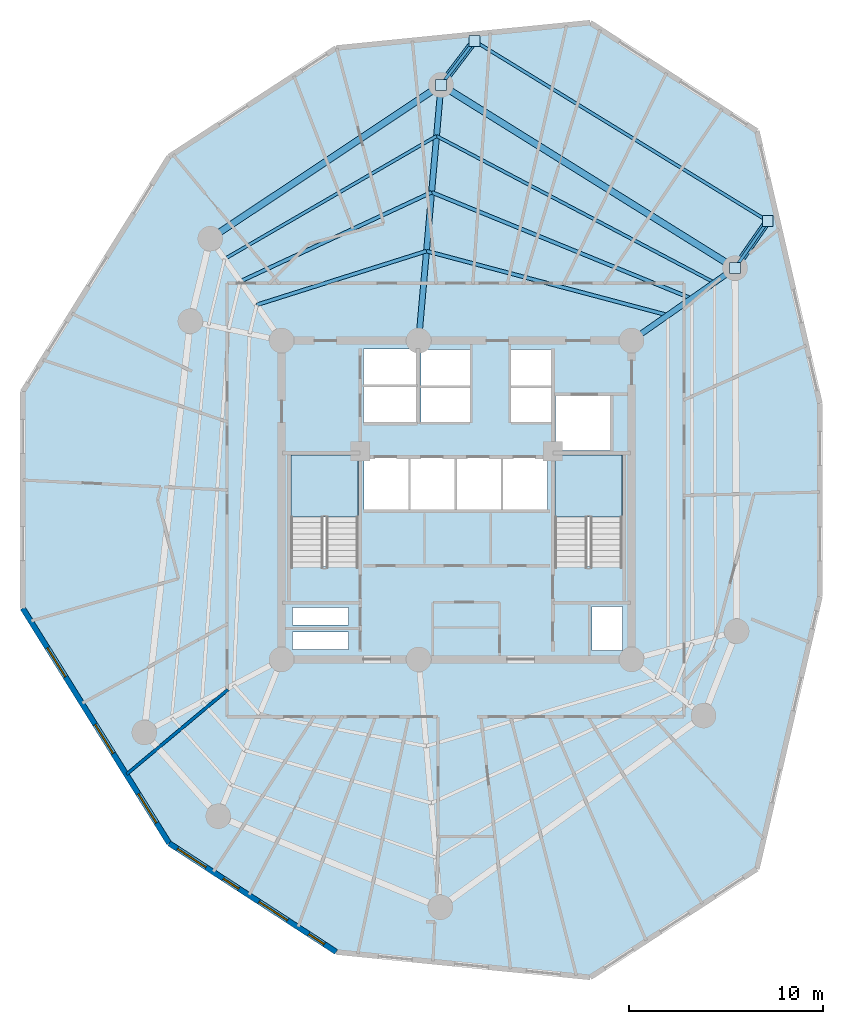
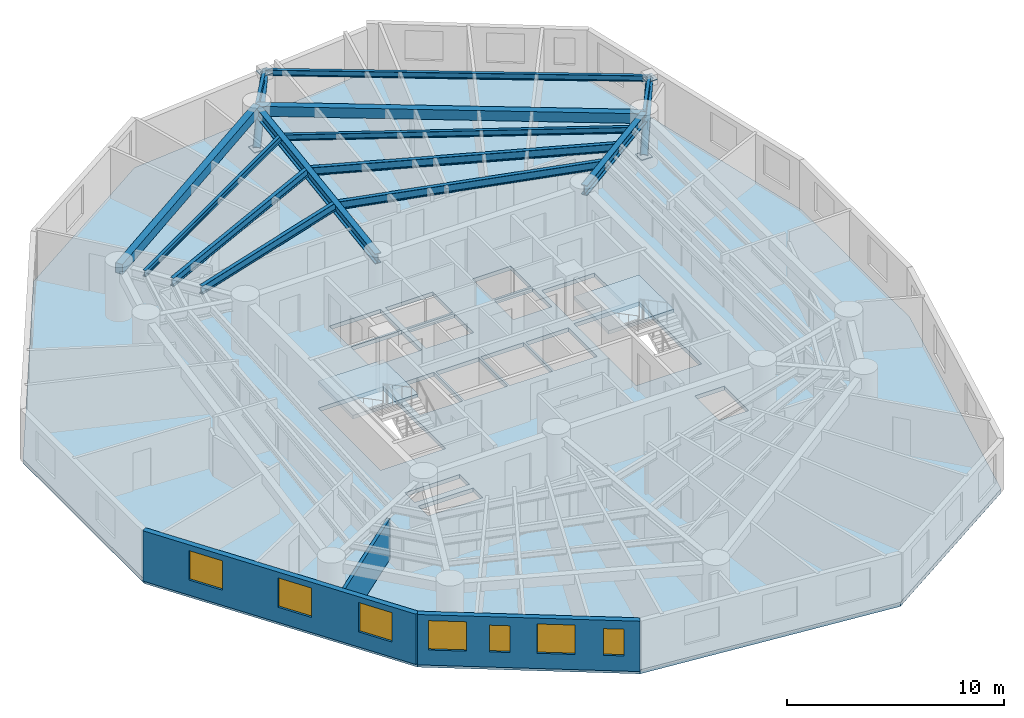
# One storey, part 2 of 8: 13 beams, 7 windows, 4 plates, 3 slabs, 3 walls, 2 members, 7 openings, 2 elements without a shape of their own.
"""IFC4 building model written with IfcOpenShell, lengths in metres."""

from ifc_helpers import new_model, si_unit, direction, frame, frame_2d, origin, origin_with_axes, origin_2d, place, context, subcontext, project, spatial, polyline, rectangle, hollow_circle, i_section, outline, extrude, source, transform, mapped, material, layer, layer_set, material_profile, profile_set, type_object, element, fill, aggregate, save


model = new_model("IFC4")

# Units and contexts
model_context = context("Model", 3, precision=1e-05, world=origin(), true_north=direction((0.0, 1.0)))
body_context = subcontext(model_context, "Body", "Model", "MODEL_VIEW")
ifc_project = project(units=[si_unit("LENGTHUNIT", "METRE"), si_unit("AREAUNIT", "SQUARE_METRE"), si_unit("VOLUMEUNIT", "CUBIC_METRE"), si_unit("PLANEANGLEUNIT", "RADIAN"), si_unit("MASSUNIT", "GRAM", prefix="KILO")], contexts=[model_context])

# Site, building, storey
site_placement = place(None, origin())
site = spatial("IfcSite", under=ifc_project, at=site_placement, CompositionType="ELEMENT")
building_placement = place(site_placement, origin())
building = spatial("IfcBuilding", under=site, at=building_placement, Name="Karkom Vertical University and Central Library", CompositionType="ELEMENT")
storey_placement = place(building_placement, frame((0.0, 0.0, 187.050048828125)))
storey = spatial("IfcBuildingStorey", under=building, at=storey_placement, Name="L54", CompositionType="ELEMENT", Elevation=187.050048828125)

# Beams
ifc_material_1 = material(Name="Precast concrete C45/55", Category="concrete")
ifc_material_profile_1 = material_profile(ifc_material_1, rectangle(XDim=0.35009765625, YDim=0.550048828125, at=origin_2d()), Name="SPB-350x550")
ifc_profile_set_1 = profile_set([ifc_material_profile_1], Name="Precast concrete C45/55")
beam_type_1 = type_object("IfcBeamType", Name="STR-BM-SP-2", PredefinedType="SPANDREL", material=ifc_profile_set_1)
shared_shape_1 = source(origin_with_axes(), body_context, "Body", "SweptSolid", [
    extrude(rectangle(XDim=0.35009765625, YDim=0.550048828125, at=origin_2d()), origin(), (0.0, 0.0, 1.0), 17.81884765625),
])
beam_1_placement = place(storey_placement, frame((42.823974609375, 38.427978515625, 2.550048828125), z_axis=(-0.848764070164, 0.528771740167, 0.0), x_axis=(-0.528771740167, -0.848764070164, 0.0)))
element("IfcBeam", 1, at=beam_1_placement, inside=storey, type_object=beam_type_1, Name="Level 54 Perimeter Spandrel Beam 02", PredefinedType="SPANDREL", context=body_context, shape_type="MappedRepresentation", body=[
    mapped(shared_shape_1, transform((0.0, 0.0, 0.0), scale=1.0)),
])
shared_shape_2 = source(origin_with_axes(), body_context, "Body", "SweptSolid", [
    extrude(rectangle(XDim=0.35009765625, YDim=0.550048828125, at=origin_2d()), origin(), (0.0, 0.0, 1.0), 14.26318359375),
])
beam_2_placement = place(storey_placement, frame((27.699951171875, 47.85009765625, 2.550048828125), z_axis=(-0.83227406272, -0.554364396876, 0.0), x_axis=(0.554364396876, -0.83227406272, 0.0)))
element("IfcBeam", 2, at=beam_2_placement, inside=storey, type_object=beam_type_1, Name="Level 54 Perimeter Spandrel Beam 03", PredefinedType="SPANDREL", context=body_context, shape_type="MappedRepresentation", body=[
    mapped(shared_shape_2, transform((0.0, 0.0, 0.0), scale=1.0)),
])
ifc_material_2 = material(Name="Steel S355", Category="steel")
ifc_material_profile_2 = material_profile(ifc_material_2, i_section(OverallWidth=0.18994140625, OverallDepth=0.449951171875, WebThickness=0.009521484375, FlangeThickness=0.0146484375, FilletRadius=0.02099609375, at=origin_2d()), Name="IPE 450")
ifc_profile_set_2 = profile_set([ifc_material_profile_2], Name="Steel S355")
beam_type_2 = type_object("IfcBeamType", Name="STR-BM-SB-IPE450", PredefinedType="BEAM", material=ifc_profile_set_2)
shared_shape_3 = source(origin_with_axes(), body_context, "Body", "SweptSolid", [
    extrude(i_section(OverallWidth=0.18994140625, OverallDepth=0.449951171875, WebThickness=0.009521484375, FlangeThickness=0.0146484375, FilletRadius=0.02099609375, at=origin_2d()), origin(), (0.0, 0.0, 1.0), 12.841552734375),
])
beam_3_placement = place(storey_placement, frame((39.36328125, 36.0048828125, 2.599853515625), z_axis=(-0.96646647674, 0.256792814032, 0.0), x_axis=(-0.256792814032, -0.96646647674, 0.0)))
element("IfcBeam", 3, at=beam_3_placement, inside=storey, type_object=beam_type_2, Name="Level 54 Secondary Composite Floor Beam 1.02", PredefinedType="BEAM", context=body_context, shape_type="MappedRepresentation", body=[
    mapped(shared_shape_3, transform((0.0, 0.0, 0.0), scale=1.0)),
])
shared_shape_4 = source(origin_with_axes(), body_context, "Body", "SweptSolid", [
    extrude(i_section(OverallWidth=0.18994140625, OverallDepth=0.449951171875, WebThickness=0.009521484375, FlangeThickness=0.0146484375, FilletRadius=0.02099609375, at=origin_2d()), origin(), (0.0, 0.0, 1.0), 9.1650390625),
])
beam_4_placement = place(storey_placement, frame((26.952392578125, 39.302490234375, 2.599853515625), z_axis=(-0.953318200449, -0.301967562319, 0.0), x_axis=(0.301967562319, -0.953318200449, 0.0)))
element("IfcBeam", 4, at=beam_4_placement, inside=storey, type_object=beam_type_2, Name="Level 54 Secondary Composite Floor Beam 1.03", PredefinedType="BEAM", context=body_context, shape_type="MappedRepresentation", body=[
    mapped(shared_shape_4, transform((0.0, 0.0, 0.0), scale=1.0)),
])
shared_shape_5 = source(origin_with_axes(), body_context, "Body", "SweptSolid", [
    extrude(i_section(OverallWidth=0.18994140625, OverallDepth=0.449951171875, WebThickness=0.009521484375, FlangeThickness=0.0146484375, FilletRadius=0.02099609375, at=origin_2d()), origin(), (0.0, 0.0, 1.0), 14.4443359375),
])
beam_5_placement = place(storey_placement, frame((40.587890625, 36.8623046875, 2.599853515625), z_axis=(-0.925675328736, 0.378318894281, 0.0), x_axis=(-0.378318894281, -0.925675328736, 0.0)))
element("IfcBeam", 5, at=beam_5_placement, inside=storey, type_object=beam_type_2, Name="Level 54 Secondary Composite Floor Beam 2.02", PredefinedType="BEAM", context=body_context, shape_type="MappedRepresentation", body=[
    mapped(shared_shape_5, transform((0.0, 0.0, 0.0), scale=1.0)),
])
shared_shape_6 = source(origin_with_axes(), body_context, "Body", "SweptSolid", [
    extrude(i_section(OverallWidth=0.18994140625, OverallDepth=0.449951171875, WebThickness=0.009521484375, FlangeThickness=0.0146484375, FilletRadius=0.02099609375, at=origin_2d()), origin(), (0.0, 0.0, 1.0), 10.86181640625),
])
beam_6_placement = place(storey_placement, frame((27.217041015625, 42.326904296875, 2.599853515625), z_axis=(-0.90649871419, -0.422208575436, 0.0), x_axis=(0.422208575436, -0.90649871419, 0.0)))
element("IfcBeam", 6, at=beam_6_placement, inside=storey, type_object=beam_type_2, Name="Level 54 Secondary Composite Floor Beam 2.03", PredefinedType="BEAM", context=body_context, shape_type="MappedRepresentation", body=[
    mapped(shared_shape_6, transform((0.0, 0.0, 0.0), scale=1.0)),
])
ifc_material_profile_3 = material_profile(ifc_material_2, i_section(OverallWidth=0.159912109375, OverallDepth=0.330078125, WebThickness=0.007568359375, FlangeThickness=0.011474609375, FilletRadius=0.01806640625, at=origin_2d()), Name="IPE 330")
ifc_profile_set_3 = profile_set([ifc_material_profile_3], Name="Steel S355")
beam_type_3 = type_object("IfcBeamType", Name="STR-BM-SB-IPE330", PredefinedType="BEAM", material=ifc_profile_set_3)
shared_shape_7 = source(origin_with_axes(), body_context, "Body", "SweptSolid", [
    extrude(i_section(OverallWidth=0.159912109375, OverallDepth=0.330078125, WebThickness=0.007568359375, FlangeThickness=0.011474609375, FilletRadius=0.01806640625, at=origin_2d()), origin(), (0.0, 0.0, 1.0), 16.155517578125),
])
beam_7_placement = place(storey_placement, frame((41.75927734375, 37.682373046875, 2.659912109375), z_axis=(-0.884486447848, 0.466565883423, 0.0), x_axis=(-0.466565883423, -0.884486447848, 0.0)))
element("IfcBeam", 7, at=beam_7_placement, inside=storey, type_object=beam_type_3, Name="Level 54 Secondary Composite Floor Beam 3.02", PredefinedType="BEAM", context=body_context, shape_type="MappedRepresentation", body=[
    mapped(shared_shape_7, transform((0.0, 0.0, 0.0), scale=1.0)),
])
shared_shape_8 = source(origin_with_axes(), body_context, "Body", "SweptSolid", [
    extrude(i_section(OverallWidth=0.159912109375, OverallDepth=0.330078125, WebThickness=0.007568359375, FlangeThickness=0.011474609375, FilletRadius=0.01806640625, at=origin_2d()), origin(), (0.0, 0.0, 1.0), 12.6083984375),
])
beam_8_placement = place(storey_placement, frame((27.469970703125, 45.219970703125, 2.659912109375), z_axis=(-0.865038920595, -0.50170475965, 0.0), x_axis=(0.50170475965, -0.865038920595, 0.0)))
element("IfcBeam", 8, at=beam_8_placement, inside=storey, type_object=beam_type_3, Name="Level 54 Secondary Composite Floor Beam 3.03", PredefinedType="BEAM", context=body_context, shape_type="MappedRepresentation", body=[
    mapped(shared_shape_8, transform((0.0, 0.0, 0.0), scale=1.0)),
])
ifc_material_profile_4 = material_profile(ifc_material_2, i_section(OverallWidth=0.300048828125, OverallDepth=0.550048828125, WebThickness=0.014892578125, FlangeThickness=0.029052734375, FilletRadius=0.027099609375, at=origin_2d()), Name="HE 550 B")
ifc_profile_set_4 = profile_set([ifc_material_profile_4], Name="Steel S355")
beam_type_4 = type_object("IfcBeamType", Name="STR-BM-SB-HE550", PredefinedType="USERDEFINED", material=ifc_profile_set_4)
shared_shape_9 = source(origin_with_axes(), body_context, "Body", "SweptSolid", [
    extrude(i_section(OverallWidth=0.300048828125, OverallDepth=0.550048828125, WebThickness=0.014892578125, FlangeThickness=0.029052734375, FilletRadius=0.027099609375, at=origin_2d()), origin(), (0.0, 0.0, 1.0), 6.49951171875),
])
beam_9_placement = place(storey_placement, frame((37.5, 34.699951171875, 2.550048828125), z_axis=(0.819141909878, 0.573590909517, 0.0), x_axis=(-0.573590909517, 0.819141909878, 0.0)))
element("IfcBeam", 9, at=beam_9_placement, inside=storey, type_object=beam_type_4, Name="Level 54 Radial Frame Girder 02", ObjectType="GIRDER", PredefinedType="USERDEFINED", context=body_context, shape_type="MappedRepresentation", body=[
    mapped(shared_shape_9, transform((0.0, 0.0, 0.0), scale=1.0)),
])
shared_shape_10 = source(origin_with_axes(), body_context, "Body", "SweptSolid", [
    extrude(i_section(OverallWidth=0.300048828125, OverallDepth=0.550048828125, WebThickness=0.014892578125, FlangeThickness=0.029052734375, FilletRadius=0.027099609375, at=origin_2d()), origin(), (0.0, 0.0, 1.0), 13.200439453125),
])
beam_10_placement = place(storey_placement, frame((26.550048828125, 34.699951171875, 2.550048828125), z_axis=(0.087111657164, 0.996198554098, 0.0), x_axis=(-0.996198554098, 0.087111657164, 0.0)))
element("IfcBeam", 10, at=beam_10_placement, inside=storey, type_object=beam_type_4, Name="Level 54 Radial Frame Girder 03", ObjectType="GIRDER", PredefinedType="USERDEFINED", context=body_context, shape_type="MappedRepresentation", body=[
    mapped(shared_shape_10, transform((0.0, 0.0, 0.0), scale=1.0)),
])
shared_shape_11 = source(origin_with_axes(), body_context, "Body", "SweptSolid", [
    extrude(i_section(OverallWidth=0.159912109375, OverallDepth=0.330078125, WebThickness=0.007568359375, FlangeThickness=0.011474609375, FilletRadius=0.01806640625, at=origin_2d()), origin(), (0.0, 0.0, 1.0), 2.947265625),
])
beam_11_placement = place(storey_placement, frame((42.823974609375, 38.427978515625, 2.659912109375), z_axis=(0.571314444667, 0.820731262543, 0.0), x_axis=(-0.820731262543, 0.571314444667, 0.0)))
element("IfcBeam", 11, at=beam_11_placement, inside=storey, type_object=beam_type_3, Name="Level 54 Sky Garden Outrigger Support Beam 1", PredefinedType="BEAM", context=body_context, shape_type="MappedRepresentation", body=[
    mapped(shared_shape_11, transform((0.0, 0.0, 0.0), scale=1.0)),
])

# Member
ifc_material_profile_5 = material_profile(ifc_material_2, hollow_circle(Radius=0.177734375, WallThickness=0.01611328125, at=origin_2d()), Name="CHS 355.6x16")
ifc_profile_set_5 = profile_set([ifc_material_profile_5], Name="Steel S355")
member_type = type_object("IfcMemberType", Name="STR-MEM-BR-3", PredefinedType="BRACE", material=ifc_profile_set_5)
shared_shape_12 = source(origin_with_axes(), body_context, "Body", "SweptSolid", [
    extrude(hollow_circle(Radius=0.177734375, WallThickness=0.01611328125, at=origin_2d()), origin(), (0.0, 0.0, 1.0), 3.74462890625),
])
member_1_placement = place(storey_placement, frame((42.823974609375, 38.427978515625, 0.349853515625), z_axis=(0.449655763589, 0.645960461888, 0.616883113684), x_axis=(-0.820731262543, 0.571314444667, 0.0)))
element("IfcMember", 12, at=member_1_placement, inside=storey, type_object=member_type, Name="Level 54 Sky Garden Knee Strut Brace 1", PredefinedType="BRACE", context=body_context, shape_type="MappedRepresentation", body=[
    mapped(shared_shape_12, transform((0.0, 0.0, 0.0), scale=1.0)),
])

# Beam
shared_shape_13 = source(origin_with_axes(), body_context, "Body", "SweptSolid", [
    extrude(i_section(OverallWidth=0.159912109375, OverallDepth=0.330078125, WebThickness=0.007568359375, FlangeThickness=0.011474609375, FilletRadius=0.01806640625, at=origin_2d()), origin(), (0.0, 0.0, 1.0), 2.838134765625),
])
beam_12_placement = place(storey_placement, frame((27.699951171875, 47.85009765625, 2.659912109375), z_axis=(0.605491039068, 0.795852122952, 0.0), x_axis=(-0.795852122952, 0.605491039068, 0.0)))
element("IfcBeam", 13, at=beam_12_placement, inside=storey, type_object=beam_type_3, Name="Level 54 Sky Garden Outrigger Support Beam 2", PredefinedType="BEAM", context=body_context, shape_type="MappedRepresentation", body=[
    mapped(shared_shape_13, transform((0.0, 0.0, 0.0), scale=1.0)),
])

# Member
shared_shape_14 = source(origin_with_axes(), body_context, "Body", "SweptSolid", [
    extrude(hollow_circle(Radius=0.177734375, WallThickness=0.01611328125, at=origin_2d()), origin(), (0.0, 0.0, 1.0), 3.659423828125),
])
member_2_placement = place(storey_placement, frame((27.699951171875, 47.85009765625, 0.349853515625), z_axis=(0.469604413869, 0.617243931967, 0.631254008244), x_axis=(-0.795852122952, 0.605491039068, 0.0)))
element("IfcMember", 14, at=member_2_placement, inside=storey, type_object=member_type, Name="Level 54 Sky Garden Knee Strut Brace 2", PredefinedType="BRACE", context=body_context, shape_type="MappedRepresentation", body=[
    mapped(shared_shape_14, transform((0.0, 0.0, 0.0), scale=1.0)),
])

# Beam
shared_shape_15 = source(origin_with_axes(), body_context, "Body", "SweptSolid", [
    extrude(i_section(OverallWidth=0.159912109375, OverallDepth=0.330078125, WebThickness=0.007568359375, FlangeThickness=0.011474609375, FilletRadius=0.01806640625, at=origin_2d()), origin(), (0.0, 0.0, 1.0), 17.705078125),
])
beam_13_placement = place(storey_placement, frame((44.5078125, 40.846923828125, 2.659912109375), z_axis=(-0.852257620287, 0.523122307556, 0.0), x_axis=(-0.523122307556, -0.852257620287, 0.0)))
element("IfcBeam", 15, at=beam_13_placement, inside=storey, type_object=beam_type_3, Name="Level 54 Sky Garden Perimeter Edge Beam", PredefinedType="BEAM", context=body_context, shape_type="MappedRepresentation", body=[
    mapped(shared_shape_15, transform((0.0, 0.0, 0.0), scale=1.0)),
])

# Stair, slab
ifc_material_3 = material(Name="Concrete C45/55", Category="concrete")
stair_type = type_object("IfcStairType", Name="INT-STR-ST-MAIN", PredefinedType="HALF_TURN_STAIR", material=ifc_material_3)
stair_1_placement = place(storey_placement, origin())
stair_1 = element("IfcStair", 16, at=stair_1_placement, inside=storey, type_object=stair_type, Name="Level 54 Tower Protected Exit Stair ST-1", PredefinedType="HALF_TURN_STAIR")
ifc_layer_1 = layer(ifc_material_3, 0.199951171875)
ifc_layer_set_1 = layer_set([ifc_layer_1], Name="Concrete C45/55")
slab_type_1 = type_object("IfcSlabType", Name="INT-SLB-LANDING", PredefinedType="LANDING", material=ifc_layer_set_1)
slab_1_placement = place(storey_placement, frame((0.0, 0.0, 1.324951171875)))
slab_1 = element("IfcSlab", 17, at=slab_1_placement, type_object=slab_type_1, Name="ST-1 landing 1", PredefinedType="LANDING", context=body_context, shape_type="SweptSolid", body=[
    extrude(outline(polyline([(23.43994140625, 25.6298828125), (23.43994140625, 28.820068359375), (19.97998046875, 28.820068359375), (19.97998046875, 25.6298828125), (23.43994140625, 25.6298828125)])), origin(), (0.0, 0.0, 1.0), 0.199951171875),
])
aggregate(stair_1, [slab_1])

stair_2_placement = place(storey_placement, origin())
stair_2 = element("IfcStair", 18, at=stair_2_placement, inside=storey, type_object=stair_type, Name="Level 54 Tower Protected Exit Stair ST-2", PredefinedType="HALF_TURN_STAIR")
slab_2_placement = place(storey_placement, frame((0.0, 0.0, 1.324951171875)))
slab_2 = element("IfcSlab", 19, at=slab_2_placement, type_object=slab_type_1, Name="ST-2 landing 1", PredefinedType="LANDING", context=body_context, shape_type="SweptSolid", body=[
    extrude(outline(polyline([(37.02001953125, 25.6298828125), (37.02001953125, 28.820068359375), (33.56005859375, 28.820068359375), (33.56005859375, 25.6298828125), (37.02001953125, 25.6298828125)])), origin(), (0.0, 0.0, 1.0), 0.199951171875),
])
aggregate(stair_2, [slab_2])

# Slab
ifc_layer_2 = layer(ifc_material_3, 0.22509765625)
ifc_layer_set_2 = layer_set([ifc_layer_2], Name="Concrete C45/55")
slab_type_2 = type_object("IfcSlabType", Name="STR-SLB-FLR-225", PredefinedType="FLOOR", material=ifc_layer_set_2)
slab_3_placement = place(storey_placement, frame((0.0, 0.0, -0.22509765625)))
element("IfcSlab", 20, at=slab_3_placement, inside=storey, type_object=slab_type_2, Name="Level 54 Tower Structural Floor Slab", PredefinedType="FLOOR", context=body_context, shape_type="SweptSolid", body=[
    extrude(outline(polyline([(6.18408203125, 32.0712890625), (6.18408203125, 20.9287109375), (13.719482421875, 8.836669921875), (22.306884765625, 3.25341796875), (35.37353515625, 1.949951171875), (43.9423828125, 7.521484375), (47.185302734375, 21.525634765625), (47.185302734375, 31.474365234375), (43.9423828125, 45.478515625), (35.37353515625, 51.050048828125), (22.306884765625, 49.74658203125), (13.719482421875, 44.163330078125), (6.18408203125, 32.0712890625)]), holes=[polyline([(19.97998046875, 23.0849609375), (23.43994140625, 23.0849609375), (23.43994140625, 28.820068359375), (19.97998046875, 28.820068359375), (19.97998046875, 23.0849609375)]), polyline([(33.56005859375, 23.0849609375), (37.02001953125, 23.0849609375), (37.02001953125, 28.820068359375), (33.56005859375, 28.820068359375), (33.56005859375, 23.0849609375)]), polyline([(23.75, 26.0), (26.030029296875, 26.0), (26.030029296875, 28.64990234375), (23.75, 28.64990234375), (23.75, 26.0)]), polyline([(26.1298828125, 26.0), (28.409912109375, 26.0), (28.409912109375, 28.64990234375), (26.1298828125, 28.64990234375), (26.1298828125, 26.0)]), polyline([(28.510009765625, 26.0), (30.7900390625, 26.0), (30.7900390625, 28.64990234375), (28.510009765625, 28.64990234375), (28.510009765625, 26.0)]), polyline([(30.889892578125, 26.0), (33.169921875, 26.0), (33.169921875, 28.64990234375), (30.889892578125, 28.64990234375), (30.889892578125, 26.0)]), polyline([(26.679931640625, 30.5), (29.199951171875, 30.5), (29.199951171875, 32.25), (26.679931640625, 32.25), (26.679931640625, 30.5)]), polyline([(26.679931640625, 32.39990234375), (29.199951171875, 32.39990234375), (29.199951171875, 34.25), (26.679931640625, 34.25), (26.679931640625, 32.39990234375)]), polyline([(31.300048828125, 30.5), (33.35009765625, 30.5), (33.35009765625, 32.25), (31.300048828125, 32.25), (31.300048828125, 30.5)]), polyline([(31.300048828125, 32.39990234375), (33.35009765625, 32.39990234375), (33.35009765625, 34.25), (31.300048828125, 34.25), (31.300048828125, 32.39990234375)]), polyline([(23.719970703125, 30.47998046875), (26.429931640625, 30.47998046875), (26.429931640625, 32.320068359375), (23.719970703125, 32.320068359375), (23.719970703125, 30.47998046875)]), polyline([(23.719970703125, 32.419921875), (26.429931640625, 32.419921875), (26.429931640625, 34.260009765625), (23.719970703125, 34.260009765625), (23.719970703125, 32.419921875)]), polyline([(33.60009765625, 29.050048828125), (36.39990234375, 29.050048828125), (36.39990234375, 31.85009765625), (33.60009765625, 31.85009765625), (33.60009765625, 29.050048828125)]), polyline([(20.050048828125, 18.820068359375), (22.949951171875, 18.820068359375), (22.949951171875, 19.719970703125), (20.050048828125, 19.719970703125), (20.050048828125, 18.820068359375)]), polyline([(20.050048828125, 20.06005859375), (22.949951171875, 20.06005859375), (22.949951171875, 20.9599609375), (20.050048828125, 20.9599609375), (20.050048828125, 20.06005859375)]), polyline([(35.4599609375, 18.760009765625), (37.0400390625, 18.760009765625), (37.0400390625, 21.010009765625), (35.4599609375, 21.010009765625), (35.4599609375, 18.760009765625)])]), origin(), (0.0, 0.0, 1.0), 0.22509765625),
])

# Plates
ifc_layer_3 = layer(ifc_material_2, 0.028076171875)
ifc_layer_set_3 = layer_set([ifc_layer_3], Name="Steel S355")
plate_type = type_object("IfcPlateType", Name="STR-PLT-GP-2", PredefinedType="USERDEFINED", material=ifc_layer_set_3)
shared_shape_16 = source(origin_with_axes(), body_context, "Body", "SweptSolid", [
    extrude(rectangle(XDim=0.56005859375, YDim=0.56005859375, at=origin_2d()), origin(), (0.0, 0.0, 1.0), 0.028076171875),
])
for number, where, z_axis, x_axis, name in (
    (21, (42.823974609375, 38.427978515625, 0.3359375), (0.0, 0.0, 1.0), (1.0, 0.0, 0.0), "Level 54 Node Gusset Cap Plate L54-SKG-KNEE-1 A"),
    (22, (44.5078125, 40.846923828125, 2.64599609375), (0.0, 0.0, 1.0), (1.0, 0.0, 0.0), "Level 54 Node Gusset Cap Plate L54-SKG-KNEE-1 B"),
    (23, (27.699951171875, 47.85009765625, 0.3359375), (0.0, 0.0, 1.0), (1.0, 0.0, 0.0), "Level 54 Node Gusset Cap Plate L54-SKG-KNEE-2 A"),
    (24, (29.41845703125, 50.10888671875, 2.64599609375), (0.0, 0.0, 1.0), (1.0, 0.0, 0.0), "Level 54 Node Gusset Cap Plate L54-SKG-KNEE-2 B"),
):
    element("IfcPlate", number, at=place(storey_placement, frame(where, z_axis=z_axis, x_axis=x_axis)), inside=storey, type_object=plate_type, Name=name, ObjectType="GUSSET PLATE", PredefinedType="USERDEFINED", context=body_context, shape_type="MappedRepresentation", body=[
        mapped(shared_shape_16, transform((0.0, 0.0, 0.0), scale=1.0)),
    ])

# Wall, openings, windows
ifc_material_4 = material(Name="Brick-faced precast concrete C45/55", Category="masonry")
ifc_layer_4 = layer(ifc_material_4, 0.280029296875)
ifc_layer_set_4 = layer_set([ifc_layer_4], Name="Brick-faced precast concrete C45/55")
wall_type_1 = type_object("IfcWallType", Name="ENV-WL-BRK-280", PredefinedType="SOLIDWALL", material=ifc_layer_set_4)
wall_1_placement = place(storey_placement, frame((6.18408203125, 20.9287109375, 0.0), z_axis=(0.0, 0.0, 1.0), x_axis=(0.52888179639, -0.848695496304, 0.0)))
wall_1 = element("IfcWall", 25, at=wall_1_placement, inside=storey, type_object=wall_type_1, Name="Level 54 Brick-Faced Precast Facade Wall 02", PredefinedType="SOLIDWALL", context=body_context, shape_type="SweptSolid", body=[
    extrude(rectangle(XDim=14.247802734375, YDim=0.280029296875, at=frame_2d((7.1240234375, 0.0))), origin(), (0.0, 0.0, 1.0), 2.824951171875),
])
opening_1_placement = place(wall_1_placement, frame((2.4033203125, 0.0, 0.85009765625)))
opening_1 = element("IfcOpeningElement", 26, at=opening_1_placement, cuts=wall_1, Name="Opening WN-08", PredefinedType="OPENING", context=body_context, shape_type="SweptSolid", body=[
    extrude(rectangle(XDim=1.75, YDim=1.64990234375, at=frame_2d((0.875, 0.824951171875))), frame((0.0, 0.14990234375, 0.0), z_axis=(0.0, -1.0, 0.0), x_axis=(1.0, 0.0, 0.0)), (0.0, 0.0, 1.0), 0.300048828125),
])
opening_2_placement = place(wall_1_placement, frame((7.03955078125, 0.0, 0.85009765625)))
opening_2 = element("IfcOpeningElement", 27, at=opening_2_placement, cuts=wall_1, Name="Opening WN-08", PredefinedType="OPENING", context=body_context, shape_type="SweptSolid", body=[
    extrude(rectangle(XDim=1.75, YDim=1.64990234375, at=frame_2d((0.875, 0.824951171875))), frame((0.0, 0.14990234375, 0.0), z_axis=(0.0, -1.0, 0.0), x_axis=(1.0, 0.0, 0.0)), (0.0, 0.0, 1.0), 0.300048828125),
])
opening_3_placement = place(wall_1_placement, frame((11.2509765625, 0.0, 0.85009765625)))
opening_3 = element("IfcOpeningElement", 28, at=opening_3_placement, cuts=wall_1, Name="Opening WN-08", PredefinedType="OPENING", context=body_context, shape_type="SweptSolid", body=[
    extrude(rectangle(XDim=1.75, YDim=1.64990234375, at=frame_2d((0.875, 0.824951171875))), frame((0.0, 0.14990234375, 0.0), z_axis=(0.0, -1.0, 0.0), x_axis=(1.0, 0.0, 0.0)), (0.0, 0.0, 1.0), 0.300048828125),
])
ifc_material_5 = material(Name="Aluminium thermal-break frame with solar-control IGU", Category="aluminium")
window_type_1 = type_object("IfcWindowType", Name="ENV-WIN-WN-08", PartitioningType="SINGLE_PANEL", PredefinedType="WINDOW", material=ifc_material_5)
shared_shape_17 = source(origin_with_axes(), body_context, "Body", "SweptSolid", [
    extrude(rectangle(XDim=1.75, YDim=1.64990234375, at=frame_2d((0.875, 0.824951171875))), frame((0.0, 0.030029296875, 0.0), z_axis=(0.0, -1.0, 0.0), x_axis=(1.0, 0.0, 0.0)), (0.0, 0.0, 1.0), 0.06005859375),
])
window_1_placement = place(opening_1_placement, origin())
window_1 = element("IfcWindow", 29, at=window_1_placement, inside=storey, type_object=window_type_1, Name="Level 54 Punched Window 2.1", OverallHeight=1.64990234375, OverallWidth=1.75, PartitioningType="SINGLE_PANEL", PredefinedType="WINDOW", context=body_context, shape_type="MappedRepresentation", body=[
    mapped(shared_shape_17, transform((0.0, 0.0, 0.0), scale=1.0)),
])
fill(opening_1, window_1)
window_2_placement = place(opening_2_placement, origin())
window_2 = element("IfcWindow", 30, at=window_2_placement, inside=storey, type_object=window_type_1, Name="Level 54 Punched Window 2.2", OverallHeight=1.64990234375, OverallWidth=1.75, PartitioningType="SINGLE_PANEL", PredefinedType="WINDOW", context=body_context, shape_type="MappedRepresentation", body=[
    mapped(shared_shape_17, transform((0.0, 0.0, 0.0), scale=1.0)),
])
fill(opening_2, window_2)
window_3_placement = place(opening_3_placement, origin())
window_3 = element("IfcWindow", 31, at=window_3_placement, inside=storey, type_object=window_type_1, Name="Level 54 Punched Window 2.3", OverallHeight=1.64990234375, OverallWidth=1.75, PartitioningType="SINGLE_PANEL", PredefinedType="WINDOW", context=body_context, shape_type="MappedRepresentation", body=[
    mapped(shared_shape_17, transform((0.0, 0.0, 0.0), scale=1.0)),
])
fill(opening_3, window_3)

wall_2_placement = place(storey_placement, frame((13.719482421875, 8.836669921875, 0.0), z_axis=(0.0, 0.0, 1.0), x_axis=(0.838379351777, -0.545087206339, 0.0)))
wall_2 = element("IfcWall", 32, at=wall_2_placement, inside=storey, type_object=wall_type_1, Name="Level 54 Brick-Faced Precast Facade Wall 03", PredefinedType="SOLIDWALL", context=body_context, shape_type="SweptSolid", body=[
    extrude(rectangle(XDim=10.242919921875, YDim=0.280029296875, at=frame_2d((5.12158203125, 0.0))), origin(), (0.0, 0.0, 1.0), 2.824951171875),
])
opening_4_placement = place(wall_2_placement, frame((0.50341796875, 0.0, 0.85009765625)))
opening_4 = element("IfcOpeningElement", 33, at=opening_4_placement, cuts=wall_2, Name="Opening WN-08", PredefinedType="OPENING", context=body_context, shape_type="SweptSolid", body=[
    extrude(rectangle(XDim=1.75, YDim=1.64990234375, at=frame_2d((0.875, 0.824951171875))), frame((0.0, 0.14990234375, 0.0), z_axis=(0.0, -1.0, 0.0), x_axis=(1.0, 0.0, 0.0)), (0.0, 0.0, 1.0), 0.300048828125),
])
opening_5_placement = place(wall_2_placement, frame((3.31640625, 0.0, 0.85009765625)))
opening_5 = element("IfcOpeningElement", 34, at=opening_5_placement, cuts=wall_2, Name="Opening WN-12", PredefinedType="OPENING", context=body_context, shape_type="SweptSolid", body=[
    extrude(rectangle(XDim=0.949951171875, YDim=1.5, at=frame_2d((0.47509765625, 0.75))), frame((0.0, 0.14990234375, 0.0), z_axis=(0.0, -1.0, 0.0), x_axis=(1.0, 0.0, 0.0)), (0.0, 0.0, 1.0), 0.300048828125),
])
opening_6_placement = place(wall_2_placement, frame((5.511962890625, 0.0, 0.85009765625)))
opening_6 = element("IfcOpeningElement", 35, at=opening_6_placement, cuts=wall_2, Name="Opening WN-08", PredefinedType="OPENING", context=body_context, shape_type="SweptSolid", body=[
    extrude(rectangle(XDim=1.75, YDim=1.64990234375, at=frame_2d((0.875, 0.824951171875))), frame((0.0, 0.14990234375, 0.0), z_axis=(0.0, -1.0, 0.0), x_axis=(1.0, 0.0, 0.0)), (0.0, 0.0, 1.0), 0.300048828125),
])
opening_7_placement = place(wall_2_placement, frame((8.560302734375, 0.0, 0.85009765625)))
opening_7 = element("IfcOpeningElement", 36, at=opening_7_placement, cuts=wall_2, Name="Opening WN-12", PredefinedType="OPENING", context=body_context, shape_type="SweptSolid", body=[
    extrude(rectangle(XDim=0.949951171875, YDim=1.5, at=frame_2d((0.47509765625, 0.75))), frame((0.0, 0.14990234375, 0.0), z_axis=(0.0, -1.0, 0.0), x_axis=(1.0, 0.0, 0.0)), (0.0, 0.0, 1.0), 0.300048828125),
])
window_type_2 = type_object("IfcWindowType", Name="ENV-WIN-WN-12", PartitioningType="SINGLE_PANEL", PredefinedType="WINDOW", material=ifc_material_5)
shared_shape_18 = source(origin_with_axes(), body_context, "Body", "SweptSolid", [
    extrude(rectangle(XDim=0.949951171875, YDim=1.5, at=frame_2d((0.47509765625, 0.75))), frame((0.0, 0.030029296875, 0.0), z_axis=(0.0, -1.0, 0.0), x_axis=(1.0, 0.0, 0.0)), (0.0, 0.0, 1.0), 0.06005859375),
])
window_4_placement = place(opening_5_placement, origin())
window_4 = element("IfcWindow", 37, at=window_4_placement, inside=storey, type_object=window_type_2, Name="Level 54 Punched Window 3.2", OverallHeight=1.5, OverallWidth=0.949951171875, PartitioningType="SINGLE_PANEL", PredefinedType="WINDOW", context=body_context, shape_type="MappedRepresentation", body=[
    mapped(shared_shape_18, transform((0.0, 0.0, 0.0), scale=1.0)),
])
fill(opening_5, window_4)
window_5_placement = place(opening_7_placement, origin())
window_5 = element("IfcWindow", 38, at=window_5_placement, inside=storey, type_object=window_type_2, Name="Level 54 Punched Window 3.4", OverallHeight=1.5, OverallWidth=0.949951171875, PartitioningType="SINGLE_PANEL", PredefinedType="WINDOW", context=body_context, shape_type="MappedRepresentation", body=[
    mapped(shared_shape_18, transform((0.0, 0.0, 0.0), scale=1.0)),
])
fill(opening_7, window_5)
window_6_placement = place(opening_4_placement, origin())
window_6 = element("IfcWindow", 39, at=window_6_placement, inside=storey, type_object=window_type_1, Name="Level 54 Punched Window 3.1", OverallHeight=1.64990234375, OverallWidth=1.75, PartitioningType="SINGLE_PANEL", PredefinedType="WINDOW", context=body_context, shape_type="MappedRepresentation", body=[
    mapped(shared_shape_17, transform((0.0, 0.0, 0.0), scale=1.0)),
])
fill(opening_4, window_6)
window_7_placement = place(opening_6_placement, origin())
window_7 = element("IfcWindow", 40, at=window_7_placement, inside=storey, type_object=window_type_1, Name="Level 54 Punched Window 3.3", OverallHeight=1.64990234375, OverallWidth=1.75, PartitioningType="SINGLE_PANEL", PredefinedType="WINDOW", context=body_context, shape_type="MappedRepresentation", body=[
    mapped(shared_shape_17, transform((0.0, 0.0, 0.0), scale=1.0)),
])
fill(opening_6, window_7)

# Wall
ifc_material_6 = material(Name="Insulated metal-stud drywall 160mm", Category="gypsum")
ifc_layer_5 = layer(ifc_material_6, 0.159912109375)
ifc_layer_set_5 = layer_set([ifc_layer_5], Name="Insulated metal-stud drywall 160mm")
wall_type_2 = type_object("IfcWallType", Name="INT-WL-COR-160", PredefinedType="PARTITIONING", material=ifc_layer_set_5)
wall_3_placement = place(storey_placement, frame((16.734619140625, 16.745361328125, 0.0), z_axis=(0.0, 0.0, 1.0), x_axis=(-0.767314553754, -0.641270906558, 0.0)))
element("IfcWall", 41, at=wall_3_placement, inside=storey, type_object=wall_type_2, Name="Level 54 Interior Partition Wall L54-PW-008", PredefinedType="PARTITIONING", context=body_context, shape_type="SweptSolid", body=[
    extrude(rectangle(XDim=6.78125, YDim=0.159912109375, at=frame_2d((3.390625, 0.0))), origin(), (0.0, 0.0, 1.0), 2.27490234375),
])

save(model, "model.ifc")
